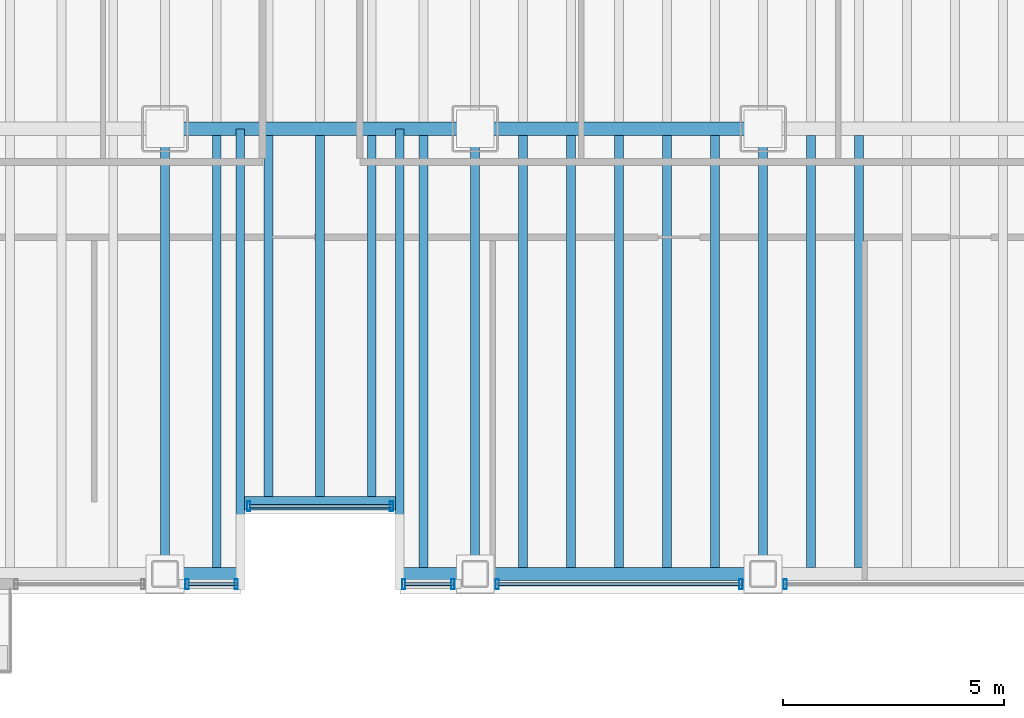
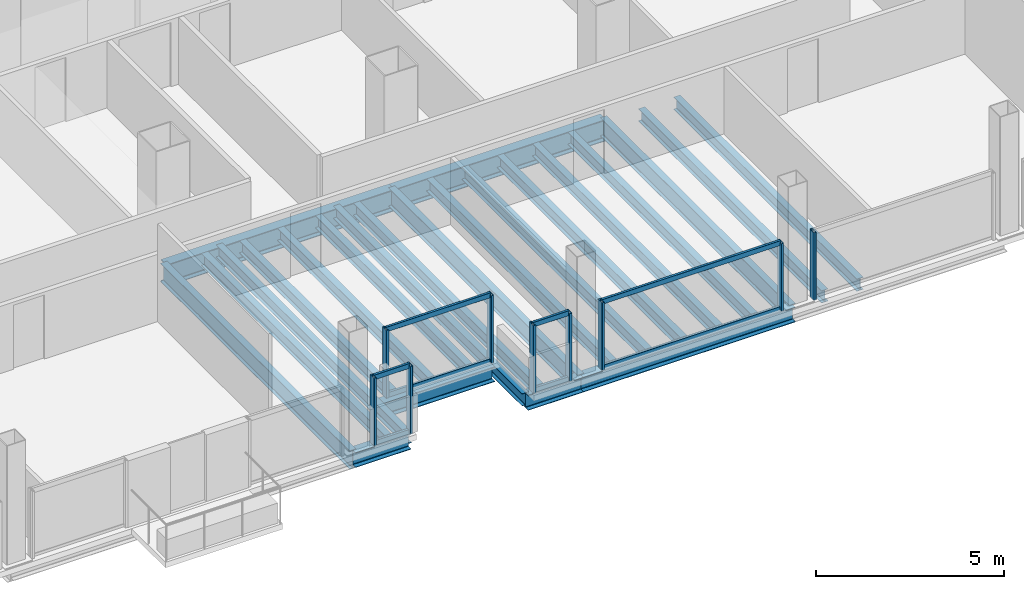
# One storey, part 5 of 21: 23 beams, 17 members, 5 elements without a shape of their own.
"""IFC4 building model written with IfcOpenShell, lengths in metres."""

from ifc_helpers import new_model, si_unit, direction, frame, origin, origin_2d, place, context, subcontext, project, spatial, hollow_rectangle, i_section, extrude, material, material_profile, profile_set, type_object, element, aggregate, save


model = new_model("IFC4")

# Units and contexts
model_context = context("Model", 3, precision=1e-05, world=origin(), true_north=direction((0.0, 1.0)))
body_context = subcontext(model_context, "Body", "Model", "MODEL_VIEW")
ifc_project = project(units=[si_unit("LENGTHUNIT", "METRE"), si_unit("AREAUNIT", "SQUARE_METRE"), si_unit("VOLUMEUNIT", "CUBIC_METRE"), si_unit("PLANEANGLEUNIT", "RADIAN"), si_unit("MASSUNIT", "GRAM", prefix="KILO")], contexts=[model_context])

# Site, building, storey
site_placement = place(None, origin())
site = spatial("IfcSite", under=ifc_project, at=site_placement, CompositionType="ELEMENT")
building_placement = place(site_placement, origin())
building = spatial("IfcBuilding", under=site, at=building_placement, Name="Noeulbin Bourse Tower", CompositionType="ELEMENT")
storey_placement = place(building_placement, frame((0.0, 0.0, 96.699951171875)))
storey = spatial("IfcBuildingStorey", under=building, at=storey_placement, Name="L24", CompositionType="ELEMENT", Elevation=96.699951171875)

# Beams
ifc_material_1 = material(Name="Steel S355", Category="steel")
ifc_material_profile_1 = material_profile(ifc_material_1, i_section(OverallWidth=0.199951171875, OverallDepth=0.60009765625, WebThickness=0.010986328125, FlangeThickness=0.01708984375, FilletRadius=0.02197265625, at=origin_2d()), Name="H-600x200x11x17", Category="LoadBearing")
ifc_profile_set_1 = profile_set([ifc_material_profile_1], Name="Steel S355")
beam_type_1 = type_object("IfcBeamType", Name="BM-GRD-600", PredefinedType="USERDEFINED", material=ifc_profile_set_1)
for number, where, z_axis, x_axis, name in (
    (1, (24.0, 9.949951171875, -0.47998046875), (0.0, 1.0, 0.0), (-1.0, 0.0, 0.0), "Tower Primary Girder NS L24-2.1"),
    (2, (31.0, 9.949951171875, -0.47998046875), (0.0, 1.0, 0.0), (-1.0, 0.0, 0.0), "Tower Primary Girder NS L24-3.1"),
    (3, (37.5, 9.949951171875, -0.47998046875), (0.0, 1.0, 0.0), (-1.0, 0.0, 0.0), "Tower Primary Girder NS L24-4.1"),
):
    element("IfcBeam", number, at=place(storey_placement, frame(where, z_axis=z_axis, x_axis=x_axis)), inside=storey, type_object=beam_type_1, Name=name, ObjectType="GIRDER", PredefinedType="USERDEFINED", context=body_context, shape_type="SweptSolid", body=[
        extrude(i_section(OverallWidth=0.199951171875, OverallDepth=0.60009765625, WebThickness=0.010986328125, FlangeThickness=0.01708984375, FilletRadius=0.02197265625, at=origin_2d()), origin(), (0.0, 0.0, 1.0), 10.050048828125),
    ])
ifc_material_profile_2 = material_profile(ifc_material_1, i_section(OverallWidth=0.300048828125, OverallDepth=0.699951171875, WebThickness=0.012939453125, FlangeThickness=0.02392578125, FilletRadius=0.02392578125, at=origin_2d()), Name="H-700x300x13x24", Category="LoadBearing")
ifc_profile_set_2 = profile_set([ifc_material_profile_2], Name="Steel S355")
beam_type_2 = type_object("IfcBeamType", Name="BM-GRD-700", PredefinedType="USERDEFINED", material=ifc_profile_set_2)
beam_1_placement = place(storey_placement, frame((24.0, 20.0, -0.530029296875), z_axis=(1.0, 0.0, 0.0), x_axis=(0.0, 1.0, 0.0)))
element("IfcBeam", 4, at=beam_1_placement, inside=storey, type_object=beam_type_2, Name="Tower Primary Girder EW L24-1.3", ObjectType="GIRDER", PredefinedType="USERDEFINED", context=body_context, shape_type="SweptSolid", body=[
    extrude(i_section(OverallWidth=0.300048828125, OverallDepth=0.699951171875, WebThickness=0.012939453125, FlangeThickness=0.02392578125, FilletRadius=0.02392578125, at=origin_2d()), origin(), (0.0, 0.0, 1.0), 7.0),
])
beam_2_placement = place(storey_placement, frame((31.0, 20.0, -0.530029296875), z_axis=(1.0, 0.0, 0.0), x_axis=(0.0, 1.0, 0.0)))
element("IfcBeam", 5, at=beam_2_placement, inside=storey, type_object=beam_type_2, Name="Tower Primary Girder EW L24-1.4", ObjectType="GIRDER", PredefinedType="USERDEFINED", context=body_context, shape_type="SweptSolid", body=[
    extrude(i_section(OverallWidth=0.300048828125, OverallDepth=0.699951171875, WebThickness=0.012939453125, FlangeThickness=0.02392578125, FilletRadius=0.02392578125, at=origin_2d()), origin(), (0.0, 0.0, 1.0), 6.5),
])
ifc_material_profile_3 = material_profile(ifc_material_1, i_section(OverallWidth=0.199951171875, OverallDepth=0.39990234375, WebThickness=0.008056640625, FlangeThickness=0.012939453125, FilletRadius=0.01611328125, at=origin_2d()), Name="H-400x200x8x13", Category="LoadBearing")
ifc_profile_set_3 = profile_set([ifc_material_profile_3], Name="Steel S355")
beam_type_3 = type_object("IfcBeamType", Name="BM-SEC-400", PredefinedType="BEAM", material=ifc_profile_set_3)
for number, where, z_axis, x_axis, name in (
    (6, (25.699951171875, 9.949951171875, -0.3798828125), (0.0, 1.0, 0.0), (-1.0, 0.0, 0.0), "BM-L24-SRT-W"),
    (7, (29.300048828125, 9.949951171875, -0.3798828125), (0.0, 1.0, 0.0), (-1.0, 0.0, 0.0), "BM-L24-SRT-E"),
):
    element("IfcBeam", number, at=place(storey_placement, frame(where, z_axis=z_axis, x_axis=x_axis)), inside=storey, type_object=beam_type_3, Name=name, PredefinedType="BEAM", context=body_context, shape_type="SweptSolid", body=[
        extrude(i_section(OverallWidth=0.199951171875, OverallDepth=0.39990234375, WebThickness=0.008056640625, FlangeThickness=0.012939453125, FilletRadius=0.01611328125, at=origin_2d()), origin(), (0.0, 0.0, 1.0), 10.050048828125),
    ])
beam_3_placement = place(storey_placement, frame((25.166748046875, 10.10009765625, -0.3798828125), z_axis=(0.0, 1.0, 0.0), x_axis=(-1.0, 0.0, 0.0)))
element("IfcBeam", 8, at=beam_3_placement, inside=storey, type_object=beam_type_3, Name="Tower Composite Joist L24-25", PredefinedType="BEAM", context=body_context, shape_type="SweptSolid", body=[
    extrude(i_section(OverallWidth=0.199951171875, OverallDepth=0.39990234375, WebThickness=0.008056640625, FlangeThickness=0.012939453125, FilletRadius=0.01611328125, at=origin_2d()), origin(), (0.0, 0.0, 1.0), 9.75),
])
for number, where, z_axis, x_axis, name in (
    (9, (26.333251953125, 11.699951171875, -0.3798828125), (0.0, 1.0, 0.0), (-1.0, 0.0, 0.0), "Tower Composite Joist L24-28"),
    (10, (27.5, 11.699951171875, -0.3798828125), (0.0, 1.0, 0.0), (-1.0, 0.0, 0.0), "Tower Composite Joist L24-31"),
    (11, (28.666748046875, 11.699951171875, -0.3798828125), (0.0, 1.0, 0.0), (-1.0, 0.0, 0.0), "Tower Composite Joist L24-34"),
):
    element("IfcBeam", number, at=place(storey_placement, frame(where, z_axis=z_axis, x_axis=x_axis)), inside=storey, type_object=beam_type_3, Name=name, PredefinedType="BEAM", context=body_context, shape_type="SweptSolid", body=[
        extrude(i_section(OverallWidth=0.199951171875, OverallDepth=0.39990234375, WebThickness=0.008056640625, FlangeThickness=0.012939453125, FilletRadius=0.01611328125, at=origin_2d()), origin(), (0.0, 0.0, 1.0), 8.150146484375),
    ])
for number, where, z_axis, x_axis, name in (
    (12, (29.833251953125, 10.10009765625, -0.3798828125), (0.0, 1.0, 0.0), (-1.0, 0.0, 0.0), "Tower Composite Joist L24-37"),
    (13, (32.083251953125, 10.10009765625, -0.3798828125), (0.0, 1.0, 0.0), (-1.0, 0.0, 0.0), "Tower Composite Joist L24-40"),
    (14, (33.166748046875, 10.10009765625, -0.3798828125), (0.0, 1.0, 0.0), (-1.0, 0.0, 0.0), "Tower Composite Joist L24-43"),
    (15, (34.25, 10.10009765625, -0.3798828125), (0.0, 1.0, 0.0), (-1.0, 0.0, 0.0), "Tower Composite Joist L24-46"),
    (16, (35.333251953125, 10.10009765625, -0.3798828125), (0.0, 1.0, 0.0), (-1.0, 0.0, 0.0), "Tower Composite Joist L24-49"),
    (17, (36.416748046875, 10.10009765625, -0.3798828125), (0.0, 1.0, 0.0), (-1.0, 0.0, 0.0), "Tower Composite Joist L24-52"),
    (18, (38.583251953125, 10.10009765625, -0.3798828125), (0.0, 1.0, 0.0), (-1.0, 0.0, 0.0), "Tower Composite Joist L24-55"),
    (19, (39.666748046875, 10.10009765625, -0.3798828125), (0.0, 1.0, 0.0), (-1.0, 0.0, 0.0), "Tower Composite Joist L24-58"),
):
    element("IfcBeam", number, at=place(storey_placement, frame(where, z_axis=z_axis, x_axis=x_axis)), inside=storey, type_object=beam_type_3, Name=name, PredefinedType="BEAM", context=body_context, shape_type="SweptSolid", body=[
        extrude(i_section(OverallWidth=0.199951171875, OverallDepth=0.39990234375, WebThickness=0.008056640625, FlangeThickness=0.012939453125, FilletRadius=0.01611328125, at=origin_2d()), origin(), (0.0, 0.0, 1.0), 9.75),
    ])
ifc_material_profile_4 = material_profile(ifc_material_1, i_section(OverallWidth=0.300048828125, OverallDepth=0.488037109375, WebThickness=0.010986328125, FlangeThickness=0.01806640625, FilletRadius=0.02197265625, at=origin_2d()), Name="H-488x300x11x18", Category="LoadBearing")
ifc_profile_set_4 = profile_set([ifc_material_profile_4], Name="Steel S355")
beam_type_4 = type_object("IfcBeamType", Name="BM-SPN-488", PredefinedType="SPANDREL", material=ifc_profile_set_4)
beam_4_placement = place(storey_placement, frame((25.800048828125, 11.550048828125, -0.424072265625), z_axis=(1.0, 0.0, 0.0), x_axis=(0.0, 1.0, 0.0)))
element("IfcBeam", 20, at=beam_4_placement, inside=storey, type_object=beam_type_4, Name="South Recess Spandrel L24-2B", PredefinedType="SPANDREL", context=body_context, shape_type="SweptSolid", body=[
    extrude(i_section(OverallWidth=0.300048828125, OverallDepth=0.488037109375, WebThickness=0.010986328125, FlangeThickness=0.01806640625, FilletRadius=0.02197265625, at=origin_2d()), origin(), (0.0, 0.0, 1.0), 3.39990234375),
])
for number, where, z_axis, x_axis, name in (
    (21, (24.0, 9.949951171875, -0.424072265625), (1.0, 0.0, 0.0), (0.0, 1.0, 0.0), "South Spandrel L24-2A"),
    (22, (29.300048828125, 9.949951171875, -0.424072265625), (1.0, 0.0, 0.0), (0.0, 1.0, 0.0), "South Spandrel L24-2C"),
):
    element("IfcBeam", number, at=place(storey_placement, frame(where, z_axis=z_axis, x_axis=x_axis)), inside=storey, type_object=beam_type_4, Name=name, PredefinedType="SPANDREL", context=body_context, shape_type="SweptSolid", body=[
        extrude(i_section(OverallWidth=0.300048828125, OverallDepth=0.488037109375, WebThickness=0.010986328125, FlangeThickness=0.01806640625, FilletRadius=0.02197265625, at=origin_2d()), origin(), (0.0, 0.0, 1.0), 1.699951171875),
    ])
beam_5_placement = place(storey_placement, frame((31.0, 9.949951171875, -0.424072265625), z_axis=(1.0, 0.0, 0.0), x_axis=(0.0, 1.0, 0.0)))
element("IfcBeam", 23, at=beam_5_placement, inside=storey, type_object=beam_type_4, Name="South Spandrel L24-3", PredefinedType="SPANDREL", context=body_context, shape_type="SweptSolid", body=[
    extrude(i_section(OverallWidth=0.300048828125, OverallDepth=0.488037109375, WebThickness=0.010986328125, FlangeThickness=0.01806640625, FilletRadius=0.02197265625, at=origin_2d()), origin(), (0.0, 0.0, 1.0), 6.5),
])

# Curtain wall, members
ifc_material_2 = material(Name="Dark Solar-Control Double Glazing", Category="glass")
curtain_wall_type = type_object("IfcCurtainWallType", Name="CW-SYS-2", PredefinedType="NOTDEFINED", material=ifc_material_2)
curtain_wall_1_placement = place(storey_placement, origin())
curtain_wall_1 = element("IfcCurtainWall", 24, at=curtain_wall_1_placement, inside=storey, type_object=curtain_wall_type, Name="Unitised Curtain Wall CW-L24-SREC", PredefinedType="NOTDEFINED")
ifc_material_3 = material(Name="Anodised Aluminium 6063-T6", Category="aluminium")
ifc_material_profile_5 = material_profile(ifc_material_3, hollow_rectangle(XDim=0.074951171875, YDim=0.219970703125, WallThickness=0.0048828125, InnerFilletRadius=0.00244140625, OuterFilletRadius=0.0048828125, at=origin_2d()), Name="ALU-MULL-75x220x5", Category="LoadBearing")
ifc_profile_set_5 = profile_set([ifc_material_profile_5], Name="Anodised Aluminium 6063-T6")
member_type_1 = type_object("IfcMemberType", Name="CW-SYS-2-MUL", PredefinedType="MULLION", material=ifc_profile_set_5)
member_1_placement = place(storey_placement, frame((25.889892578125, 11.47998046875, -0.02001953125), z_axis=(0.0, 0.0, 1.0), x_axis=(1.0, 0.0, 0.0)))
member_1 = element("IfcMember", 25, at=member_1_placement, type_object=member_type_1, Name="Curtain Wall Mullion CW-L24-SREC-M00", PredefinedType="MULLION", context=body_context, shape_type="SweptSolid", body=[
    extrude(hollow_rectangle(XDim=0.074951171875, YDim=0.219970703125, WallThickness=0.0048828125, InnerFilletRadius=0.00244140625, OuterFilletRadius=0.0048828125, at=origin_2d()), origin(), (0.0, 0.0, 1.0), 2.199951171875),
])
member_2_placement = place(storey_placement, frame((29.110107421875, 11.47998046875, -0.02001953125), z_axis=(0.0, 0.0, 1.0), x_axis=(1.0, 0.0, 0.0)))
member_2 = element("IfcMember", 26, at=member_2_placement, type_object=member_type_1, Name="Curtain Wall Mullion CW-L24-SREC-M01", PredefinedType="MULLION", context=body_context, shape_type="SweptSolid", body=[
    extrude(hollow_rectangle(XDim=0.074951171875, YDim=0.219970703125, WallThickness=0.0048828125, InnerFilletRadius=0.00244140625, OuterFilletRadius=0.0048828125, at=origin_2d()), origin(), (0.0, 0.0, 1.0), 2.199951171875),
])

curtain_wall_2_placement = place(storey_placement, origin())
curtain_wall_2 = element("IfcCurtainWall", 27, at=curtain_wall_2_placement, inside=storey, type_object=curtain_wall_type, Name="Unitised Curtain Wall CW-L24-S2-S2", PredefinedType="NOTDEFINED")
member_3_placement = place(storey_placement, frame((24.5, 9.719970703125, -0.02001953125), z_axis=(0.0, 0.0, 1.0), x_axis=(1.0, 0.0, 0.0)))
member_3 = element("IfcMember", 28, at=member_3_placement, type_object=member_type_1, Name="Curtain Wall Mullion CW-L24-S2-S2-M00", PredefinedType="MULLION", context=body_context, shape_type="SweptSolid", body=[
    extrude(hollow_rectangle(XDim=0.074951171875, YDim=0.219970703125, WallThickness=0.0048828125, InnerFilletRadius=0.00244140625, OuterFilletRadius=0.0048828125, at=origin_2d()), origin(), (0.0, 0.0, 1.0), 2.199951171875),
])
member_4_placement = place(storey_placement, frame((25.610107421875, 9.719970703125, -0.02001953125), z_axis=(0.0, 0.0, 1.0), x_axis=(1.0, 0.0, 0.0)))
member_4 = element("IfcMember", 29, at=member_4_placement, type_object=member_type_1, Name="Curtain Wall Mullion CW-L24-S2-S2-M01", PredefinedType="MULLION", context=body_context, shape_type="SweptSolid", body=[
    extrude(hollow_rectangle(XDim=0.074951171875, YDim=0.219970703125, WallThickness=0.0048828125, InnerFilletRadius=0.00244140625, OuterFilletRadius=0.0048828125, at=origin_2d()), origin(), (0.0, 0.0, 1.0), 2.199951171875),
])

curtain_wall_3_placement = place(storey_placement, origin())
curtain_wall_3 = element("IfcCurtainWall", 30, at=curtain_wall_3_placement, inside=storey, type_object=curtain_wall_type, Name="Unitised Curtain Wall CW-L24-S3-S1", PredefinedType="NOTDEFINED")
member_5_placement = place(storey_placement, frame((29.389892578125, 9.719970703125, -0.02001953125), z_axis=(0.0, 0.0, 1.0), x_axis=(1.0, 0.0, 0.0)))
member_5 = element("IfcMember", 31, at=member_5_placement, type_object=member_type_1, Name="Curtain Wall Mullion CW-L24-S3-S1-M00", PredefinedType="MULLION", context=body_context, shape_type="SweptSolid", body=[
    extrude(hollow_rectangle(XDim=0.074951171875, YDim=0.219970703125, WallThickness=0.0048828125, InnerFilletRadius=0.00244140625, OuterFilletRadius=0.0048828125, at=origin_2d()), origin(), (0.0, 0.0, 1.0), 2.199951171875),
])
member_6_placement = place(storey_placement, frame((30.5, 9.719970703125, -0.02001953125), z_axis=(0.0, 0.0, 1.0), x_axis=(1.0, 0.0, 0.0)))
member_6 = element("IfcMember", 32, at=member_6_placement, type_object=member_type_1, Name="Curtain Wall Mullion CW-L24-S3-S1-M01", PredefinedType="MULLION", context=body_context, shape_type="SweptSolid", body=[
    extrude(hollow_rectangle(XDim=0.074951171875, YDim=0.219970703125, WallThickness=0.0048828125, InnerFilletRadius=0.00244140625, OuterFilletRadius=0.0048828125, at=origin_2d()), origin(), (0.0, 0.0, 1.0), 2.199951171875),
])

curtain_wall_4_placement = place(storey_placement, origin())
curtain_wall_4 = element("IfcCurtainWall", 33, at=curtain_wall_4_placement, inside=storey, type_object=curtain_wall_type, Name="Unitised Curtain Wall CW-L24-S3-S2", PredefinedType="NOTDEFINED")
member_7_placement = place(storey_placement, frame((31.5, 9.719970703125, -0.02001953125), z_axis=(0.0, 0.0, 1.0), x_axis=(1.0, 0.0, 0.0)))
member_7 = element("IfcMember", 34, at=member_7_placement, type_object=member_type_1, Name="Curtain Wall Mullion CW-L24-S3-S2-M00", PredefinedType="MULLION", context=body_context, shape_type="SweptSolid", body=[
    extrude(hollow_rectangle(XDim=0.074951171875, YDim=0.219970703125, WallThickness=0.0048828125, InnerFilletRadius=0.00244140625, OuterFilletRadius=0.0048828125, at=origin_2d()), origin(), (0.0, 0.0, 1.0), 2.199951171875),
])
member_8_placement = place(storey_placement, frame((37.0, 9.719970703125, -0.02001953125), z_axis=(0.0, 0.0, 1.0), x_axis=(1.0, 0.0, 0.0)))
member_8 = element("IfcMember", 35, at=member_8_placement, type_object=member_type_1, Name="Curtain Wall Mullion CW-L24-S3-S2-M01", PredefinedType="MULLION", context=body_context, shape_type="SweptSolid", body=[
    extrude(hollow_rectangle(XDim=0.074951171875, YDim=0.219970703125, WallThickness=0.0048828125, InnerFilletRadius=0.00244140625, OuterFilletRadius=0.0048828125, at=origin_2d()), origin(), (0.0, 0.0, 1.0), 2.199951171875),
])

# Curtain wall, member
curtain_wall_5_placement = place(storey_placement, origin())
curtain_wall_5 = element("IfcCurtainWall", 36, at=curtain_wall_5_placement, inside=storey, type_object=curtain_wall_type, Name="Unitised Curtain Wall CW-L24-S3-S3", PredefinedType="NOTDEFINED")
member_9_placement = place(storey_placement, frame((38.0, 9.719970703125, -0.02001953125), z_axis=(0.0, 0.0, 1.0), x_axis=(1.0, 0.0, 0.0)))
member_9 = element("IfcMember", 37, at=member_9_placement, type_object=member_type_1, Name="Curtain Wall Mullion CW-L24-S3-S3-M00", PredefinedType="MULLION", context=body_context, shape_type="SweptSolid", body=[
    extrude(hollow_rectangle(XDim=0.074951171875, YDim=0.219970703125, WallThickness=0.0048828125, InnerFilletRadius=0.00244140625, OuterFilletRadius=0.0048828125, at=origin_2d()), origin(), (0.0, 0.0, 1.0), 2.199951171875),
])
aggregate(curtain_wall_5, [member_9])

# Member
ifc_material_profile_6 = material_profile(ifc_material_3, hollow_rectangle(XDim=0.074951171875, YDim=0.159912109375, WallThickness=0.0048828125, InnerFilletRadius=0.00244140625, OuterFilletRadius=0.0048828125, at=origin_2d()), Name="ALU-TRAN-75x160x5", Category="LoadBearing")
ifc_profile_set_6 = profile_set([ifc_material_profile_6], Name="Anodised Aluminium 6063-T6")
member_type_2 = type_object("IfcMemberType", Name="CW-SYS-2-TRN", PredefinedType="USERDEFINED", material=ifc_profile_set_6)
member_10_placement = place(storey_placement, frame((25.89990234375, 11.47998046875, 0.010009765625), z_axis=(1.0, 0.0, 0.0), x_axis=(0.0, 1.0, 0.0)))
member_10 = element("IfcMember", 38, at=member_10_placement, type_object=member_type_2, Name="Curtain Wall Transom CW-L24-SREC-T00", ObjectType="TRANSOM", PredefinedType="USERDEFINED", context=body_context, shape_type="SweptSolid", body=[
    extrude(hollow_rectangle(XDim=0.074951171875, YDim=0.159912109375, WallThickness=0.0048828125, InnerFilletRadius=0.00244140625, OuterFilletRadius=0.0048828125, at=origin_2d()), origin(), (0.0, 0.0, 1.0), 3.2001953125),
])

member_11_placement = place(storey_placement, frame((25.89990234375, 11.47998046875, 2.150146484375), z_axis=(1.0, 0.0, 0.0), x_axis=(0.0, 1.0, 0.0)))
member_11 = element("IfcMember", 39, at=member_11_placement, type_object=member_type_2, Name="Curtain Wall Transom CW-L24-SREC-T01", ObjectType="TRANSOM", PredefinedType="USERDEFINED", context=body_context, shape_type="SweptSolid", body=[
    extrude(hollow_rectangle(XDim=0.074951171875, YDim=0.159912109375, WallThickness=0.0048828125, InnerFilletRadius=0.00244140625, OuterFilletRadius=0.0048828125, at=origin_2d()), origin(), (0.0, 0.0, 1.0), 3.2001953125),
])

aggregate(curtain_wall_1, [member_1, member_2, member_10, member_11])

member_12_placement = place(storey_placement, frame((24.510009765625, 9.719970703125, 0.010009765625), z_axis=(1.0, 0.0, 0.0), x_axis=(0.0, 1.0, 0.0)))
member_12 = element("IfcMember", 40, at=member_12_placement, type_object=member_type_2, Name="Curtain Wall Transom CW-L24-S2-S2-T00", ObjectType="TRANSOM", PredefinedType="USERDEFINED", context=body_context, shape_type="SweptSolid", body=[
    extrude(hollow_rectangle(XDim=0.074951171875, YDim=0.159912109375, WallThickness=0.0048828125, InnerFilletRadius=0.00244140625, OuterFilletRadius=0.0048828125, at=origin_2d()), origin(), (0.0, 0.0, 1.0), 1.090087890625),
])

member_13_placement = place(storey_placement, frame((24.510009765625, 9.719970703125, 2.150146484375), z_axis=(1.0, 0.0, 0.0), x_axis=(0.0, 1.0, 0.0)))
member_13 = element("IfcMember", 41, at=member_13_placement, type_object=member_type_2, Name="Curtain Wall Transom CW-L24-S2-S2-T01", ObjectType="TRANSOM", PredefinedType="USERDEFINED", context=body_context, shape_type="SweptSolid", body=[
    extrude(hollow_rectangle(XDim=0.074951171875, YDim=0.159912109375, WallThickness=0.0048828125, InnerFilletRadius=0.00244140625, OuterFilletRadius=0.0048828125, at=origin_2d()), origin(), (0.0, 0.0, 1.0), 1.090087890625),
])

aggregate(curtain_wall_2, [member_3, member_4, member_12, member_13])

member_14_placement = place(storey_placement, frame((29.39990234375, 9.719970703125, 0.010009765625), z_axis=(1.0, 0.0, 0.0), x_axis=(0.0, 1.0, 0.0)))
member_14 = element("IfcMember", 42, at=member_14_placement, type_object=member_type_2, Name="Curtain Wall Transom CW-L24-S3-S1-T00", ObjectType="TRANSOM", PredefinedType="USERDEFINED", context=body_context, shape_type="SweptSolid", body=[
    extrude(hollow_rectangle(XDim=0.074951171875, YDim=0.159912109375, WallThickness=0.0048828125, InnerFilletRadius=0.00244140625, OuterFilletRadius=0.0048828125, at=origin_2d()), origin(), (0.0, 0.0, 1.0), 1.090087890625),
])

member_15_placement = place(storey_placement, frame((29.39990234375, 9.719970703125, 2.150146484375), z_axis=(1.0, 0.0, 0.0), x_axis=(0.0, 1.0, 0.0)))
member_15 = element("IfcMember", 43, at=member_15_placement, type_object=member_type_2, Name="Curtain Wall Transom CW-L24-S3-S1-T01", ObjectType="TRANSOM", PredefinedType="USERDEFINED", context=body_context, shape_type="SweptSolid", body=[
    extrude(hollow_rectangle(XDim=0.074951171875, YDim=0.159912109375, WallThickness=0.0048828125, InnerFilletRadius=0.00244140625, OuterFilletRadius=0.0048828125, at=origin_2d()), origin(), (0.0, 0.0, 1.0), 1.090087890625),
])

aggregate(curtain_wall_3, [member_5, member_6, member_14, member_15])

member_16_placement = place(storey_placement, frame((31.510009765625, 9.719970703125, 0.010009765625), z_axis=(1.0, 0.0, 0.0), x_axis=(0.0, 1.0, 0.0)))
member_16 = element("IfcMember", 44, at=member_16_placement, type_object=member_type_2, Name="Curtain Wall Transom CW-L24-S3-S2-T00", ObjectType="TRANSOM", PredefinedType="USERDEFINED", context=body_context, shape_type="SweptSolid", body=[
    extrude(hollow_rectangle(XDim=0.074951171875, YDim=0.159912109375, WallThickness=0.0048828125, InnerFilletRadius=0.00244140625, OuterFilletRadius=0.0048828125, at=origin_2d()), origin(), (0.0, 0.0, 1.0), 5.47998046875),
])

member_17_placement = place(storey_placement, frame((31.510009765625, 9.719970703125, 2.150146484375), z_axis=(1.0, 0.0, 0.0), x_axis=(0.0, 1.0, 0.0)))
member_17 = element("IfcMember", 45, at=member_17_placement, type_object=member_type_2, Name="Curtain Wall Transom CW-L24-S3-S2-T01", ObjectType="TRANSOM", PredefinedType="USERDEFINED", context=body_context, shape_type="SweptSolid", body=[
    extrude(hollow_rectangle(XDim=0.074951171875, YDim=0.159912109375, WallThickness=0.0048828125, InnerFilletRadius=0.00244140625, OuterFilletRadius=0.0048828125, at=origin_2d()), origin(), (0.0, 0.0, 1.0), 5.47998046875),
])

aggregate(curtain_wall_4, [member_7, member_8, member_16, member_17])

save(model, "model.ifc")
